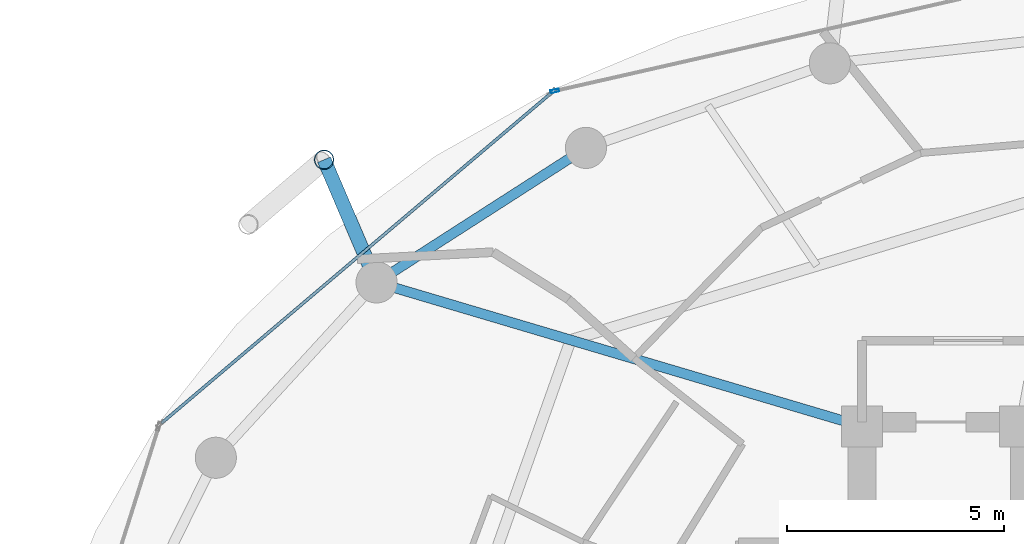
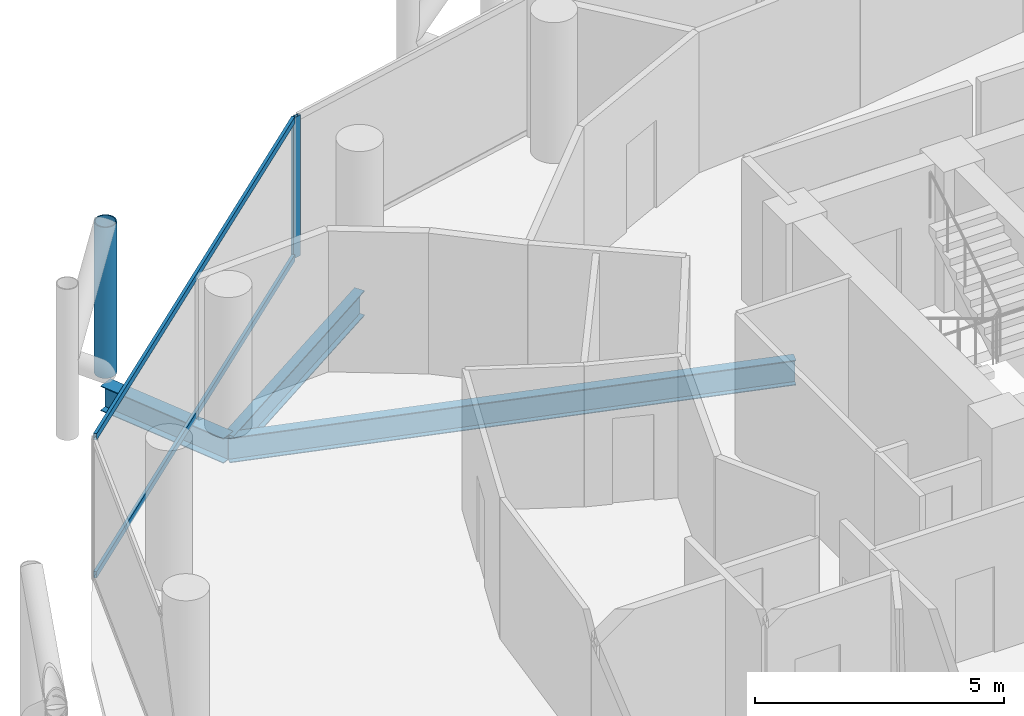
# One storey, part 14 of 26: 4 members, 3 beams, 2 elements without a shape of their own.
"""IFC4 building model written with IfcOpenShell, lengths in metres."""

from ifc_helpers import new_model, si_unit, direction, frame, origin, origin_2d, place, context, subcontext, project, spatial, hollow_rectangle, hollow_circle, i_section, extrude, material, layer, layer_set, material_profile, profile_set, type_object, element, aggregate, save


model = new_model("IFC4")

# Units and contexts
model_context = context("Model", 3, precision=1e-05, world=origin(), true_north=direction((0.0, 1.0)))
body_context = subcontext(model_context, "Body", "Model", "MODEL_VIEW")
ifc_project = project(units=[si_unit("LENGTHUNIT", "METRE"), si_unit("AREAUNIT", "SQUARE_METRE"), si_unit("VOLUMEUNIT", "CUBIC_METRE"), si_unit("PLANEANGLEUNIT", "RADIAN"), si_unit("MASSUNIT", "GRAM", prefix="KILO")], contexts=[model_context])

# Site, building, storey
site_placement = place(None, origin())
site = spatial("IfcSite", under=ifc_project, at=site_placement, CompositionType="ELEMENT")
building_placement = place(site_placement, origin())
building = spatial("IfcBuilding", under=site, at=building_placement, Name="Nuhasar Tower", CompositionType="ELEMENT")
storey_placement = place(building_placement, frame((0.0, 0.0, 188.550048828125)))
storey = spatial("IfcBuildingStorey", under=building, at=storey_placement, Name="L46", CompositionType="ELEMENT", Elevation=188.550048828125)

# Beams
ifc_material_1 = material(Name="Steel S355", Category="steel")
ifc_material_profile_1 = material_profile(ifc_material_1, i_section(OverallWidth=0.22900390625, OverallDepth=0.612060546875, WebThickness=0.011962890625, FlangeThickness=0.01953125, at=origin_2d()), Name="W24X84")
ifc_profile_set_1 = profile_set([ifc_material_profile_1], Name="Steel S355")
beam_type_1 = type_object("IfcBeamType", Name="BM-RAD-W24X84", PredefinedType="BEAM", material=ifc_profile_set_1)
beam_1_placement = place(storey_placement, frame((33.699951171875, 37.300048828125, -0.55615234375), z_axis=(-0.958746492721, 0.284262489076, 0.0), x_axis=(-0.284262489076, -0.958746492721, 0.0)))
element("IfcBeam", 1, at=beam_1_placement, inside=storey, type_object=beam_type_1, Name="L46 Radial Floor Girder 07", PredefinedType="BEAM", context=body_context, shape_type="SweptSolid", body=[
    extrude(i_section(OverallWidth=0.22900390625, OverallDepth=0.612060546875, WebThickness=0.011962890625, FlangeThickness=0.01953125, at=origin_2d()), origin(), (0.0, 0.0, 1.0), 11.693359375),
])
ifc_material_profile_2 = material_profile(ifc_material_1, i_section(OverallWidth=0.22998046875, OverallDepth=0.616943359375, WebThickness=0.01318359375, FlangeThickness=0.022216796875, at=origin_2d()), Name="W24X94")
ifc_profile_set_2 = profile_set([ifc_material_profile_2], Name="Steel S355")
beam_type_2 = type_object("IfcBeamType", Name="BM-RING-W24X94", PredefinedType="SPANDREL", material=ifc_profile_set_2)
beam_2_placement = place(storey_placement, frame((27.324951171875, 43.73095703125, -0.55810546875), z_axis=(-0.841327486207, -0.540525726448, 0.0), x_axis=(0.540525726448, -0.841327486207, 0.0)))
element("IfcBeam", 2, at=beam_2_placement, inside=storey, type_object=beam_type_2, Name="L46 Perimeter Ring Spandrel 09", PredefinedType="SPANDREL", context=body_context, shape_type="SweptSolid", body=[
    extrude(i_section(OverallWidth=0.22998046875, OverallDepth=0.616943359375, WebThickness=0.01318359375, FlangeThickness=0.022216796875, at=origin_2d()), origin(), (0.0, 0.0, 1.0), 5.748046875),
])
ifc_material_profile_3 = material_profile(ifc_material_1, i_section(OverallWidth=0.323974609375, OverallDepth=0.611083984375, WebThickness=0.0126953125, FlangeThickness=0.01904296875, at=origin_2d()), Name="W24X104")
ifc_profile_set_3 = profile_set([ifc_material_profile_3], Name="Steel S355")
beam_type_3 = type_object("IfcBeamType", Name="BM-TIE-W24X104", PredefinedType="BEAM", material=ifc_profile_set_3)
beam_3_placement = place(storey_placement, frame((22.489013671875, 40.6240234375, -0.554931640625), z_axis=(-0.39330721304, 0.919407111225, 0.0), x_axis=(-0.919407111225, -0.39330721304, 0.0)))
element("IfcBeam", 3, at=beam_3_placement, inside=storey, type_object=beam_type_3, Name="L46 Exoskeleton Node Tie Beam 05", PredefinedType="BEAM", context=body_context, shape_type="SweptSolid", body=[
    extrude(i_section(OverallWidth=0.323974609375, OverallDepth=0.611083984375, WebThickness=0.0126953125, FlangeThickness=0.01904296875, at=origin_2d()), origin(), (0.0, 0.0, 1.0), 3.081298828125),
])

# Curtain wall, member
ifc_material_2 = material(Name="Aluminium 6063-T6", Category="aluminium")
ifc_layer = layer(ifc_material_2, 0.199951171875)
ifc_layer_set = layer_set([ifc_layer], Name="Aluminium 6063-T6")
curtain_wall_type = type_object("IfcCurtainWallType", Name="CW-Z2-HTL", PredefinedType="NOTDEFINED", material=ifc_layer_set)
curtain_wall_1_placement = place(storey_placement, origin())
curtain_wall_1 = element("IfcCurtainWall", 4, at=curtain_wall_1_placement, inside=storey, type_object=curtain_wall_type, Name="L46 Unitised Curtain Wall 04", PredefinedType="NOTDEFINED")
ifc_material_profile_4 = material_profile(ifc_material_2, hollow_rectangle(XDim=0.070068359375, YDim=0.199951171875, WallThickness=0.0048828125, at=origin_2d()), Name="CWM-3")
ifc_profile_set_4 = profile_set([ifc_material_profile_4], Name="Aluminium 6063-T6")
member_type_1 = type_object("IfcMemberType", Name="CW-MUL-S3", PredefinedType="MULLION", material=ifc_profile_set_4)
member_1_placement = place(storey_placement, frame((26.604248046875, 45.045654296875, 0.0), z_axis=(0.0, 0.0, 1.0), x_axis=(0.22139729566, -0.975183694221, 0.0)))
member_1 = element("IfcMember", 5, at=member_1_placement, type_object=member_type_1, Name="CW-Z2 mullion 2", PredefinedType="MULLION", context=body_context, shape_type="SweptSolid", body=[
    extrude(hollow_rectangle(XDim=0.070068359375, YDim=0.199951171875, WallThickness=0.0048828125, at=origin_2d()), origin(), (0.0, 0.0, 1.0), 3.449951171875),
])
aggregate(curtain_wall_1, [member_1])

# Curtain wall, members
curtain_wall_2_placement = place(storey_placement, origin())
curtain_wall_2 = element("IfcCurtainWall", 6, at=curtain_wall_2_placement, inside=storey, type_object=curtain_wall_type, Name="L46 Unitised Curtain Wall 05", PredefinedType="NOTDEFINED")
ifc_material_profile_5 = material_profile(ifc_material_2, hollow_rectangle(XDim=0.070068359375, YDim=0.159912109375, WallThickness=0.00439453125, at=origin_2d()), Name="CWT-3")
ifc_profile_set_5 = profile_set([ifc_material_profile_5], Name="Aluminium 6063-T6")
member_type_2 = type_object("IfcMemberType", Name="CW-TRN-S3", PredefinedType="USERDEFINED", material=ifc_profile_set_5)
member_2_placement = place(storey_placement, frame((26.5166015625, 44.99267578125, 0.034912109375), z_axis=(-0.763023915269, -0.646370253592, 0.0), x_axis=(0.646370253592, -0.763023915269, 0.0)))
member_2 = element("IfcMember", 7, at=member_2_placement, type_object=member_type_2, Name="CW-Z2 transom 1.1", ObjectType="TRANSOM", PredefinedType="USERDEFINED", context=body_context, shape_type="SweptSolid", body=[
    extrude(hollow_rectangle(XDim=0.070068359375, YDim=0.159912109375, WallThickness=0.00439453125, at=origin_2d()), origin(), (0.0, 0.0, 1.0), 11.784912109375),
])
member_3_placement = place(storey_placement, frame((26.5166015625, 44.99267578125, 3.4150390625), z_axis=(-0.763023915269, -0.646370253592, 0.0), x_axis=(0.646370253592, -0.763023915269, 0.0)))
member_3 = element("IfcMember", 8, at=member_3_placement, type_object=member_type_2, Name="CW-Z2 transom 1.2", ObjectType="TRANSOM", PredefinedType="USERDEFINED", context=body_context, shape_type="SweptSolid", body=[
    extrude(hollow_rectangle(XDim=0.070068359375, YDim=0.159912109375, WallThickness=0.00439453125, at=origin_2d()), origin(), (0.0, 0.0, 1.0), 11.784912109375),
])
aggregate(curtain_wall_2, [member_2, member_3])

# Member
ifc_material_3 = material(Name="Steel S460", Category="steel")
ifc_material_profile_6 = material_profile(ifc_material_3, hollow_circle(Radius=0.228515625, WallThickness=0.022216796875, at=origin_2d()), Name="HSS457X22.2")
ifc_profile_set_6 = profile_set([ifc_material_profile_6], Name="Steel S460")
member_type_3 = type_object("IfcMemberType", Name="EXO-BRONZE-457", PredefinedType="BRACE", material=ifc_profile_set_6)
member_4_placement = place(storey_placement, frame((21.277099609375, 43.45703125, 0.0), z_axis=(0.0, 0.0, 1.0), x_axis=(1.0, 0.0, 0.0)))
element("IfcMember", 9, at=member_4_placement, inside=storey, type_object=member_type_3, Name="L46 Exoskeleton Chord Column EC-05A", PredefinedType="BRACE", context=body_context, shape_type="SweptSolid", body=[
    extrude(hollow_circle(Radius=0.228515625, WallThickness=0.022216796875, at=origin_2d()), origin(), (0.0, 0.0, 1.0), 3.699951171875),
])

save(model, "model.ifc")
